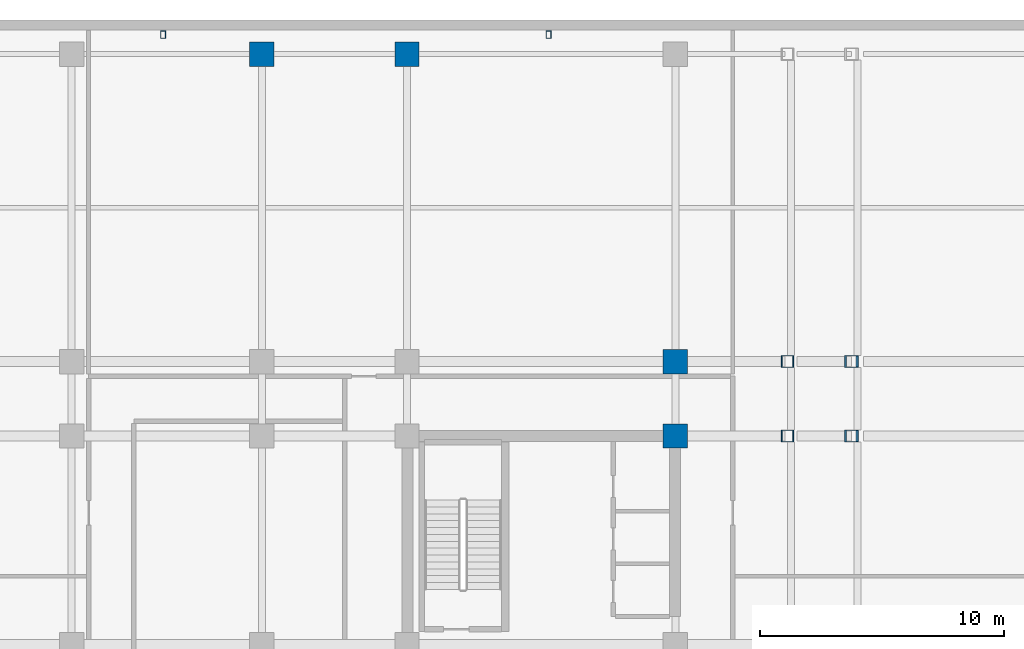
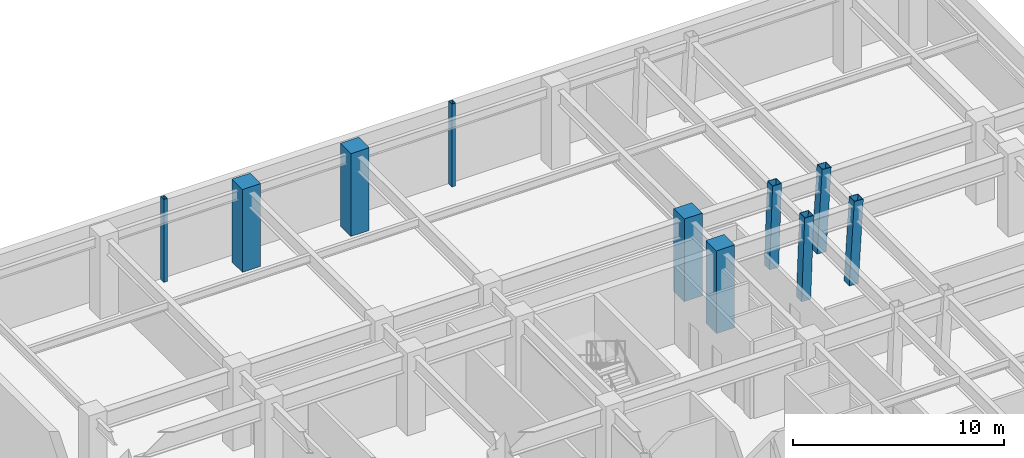
# One storey, part 3 of 9: 10 columns.
"""IFC4 building model written with IfcOpenShell, lengths in metres."""

from ifc_helpers import new_model, si_unit, direction, frame, origin, origin_2d, place, context, subcontext, project, spatial, rectangle, hollow_rectangle, extrude, material, material_profile, profile_set, type_object, element, save


model = new_model("IFC4")

# Units and contexts
model_context = context("Model", 3, precision=1e-05, world=origin(), true_north=direction((0.0, 1.0)))
body_context = subcontext(model_context, "Body", "Model", "MODEL_VIEW")
ifc_project = project(units=[si_unit("LENGTHUNIT", "METRE"), si_unit("AREAUNIT", "SQUARE_METRE"), si_unit("VOLUMEUNIT", "CUBIC_METRE"), si_unit("PLANEANGLEUNIT", "RADIAN"), si_unit("MASSUNIT", "GRAM", prefix="KILO")], contexts=[model_context])

# Site, building, storey
site_placement = place(None, origin())
site = spatial("IfcSite", under=ifc_project, at=site_placement, CompositionType="ELEMENT")
building_placement = place(site_placement, origin())
building = spatial("IfcBuilding", under=site, at=building_placement, Name="Ochreholt Gables", CompositionType="ELEMENT")
storey_placement = place(building_placement, frame((0.0, 0.0, -4.800048828125)))
storey = spatial("IfcBuildingStorey", under=building, at=storey_placement, Name="B1", CompositionType="ELEMENT", Elevation=-4.800048828125)

# Columns
ifc_material_1 = material(Name="Steel CSA G40.21 350W", Category="steel")
ifc_material_profile_1 = material_profile(ifc_material_1, hollow_rectangle(XDim=0.5, YDim=0.5, WallThickness=0.02197265625, at=origin_2d()), Name="HSS500X500X22")
ifc_profile_set_1 = profile_set([ifc_material_profile_1], Name="Steel CSA G40.21 350W")
column_type_1 = type_object("IfcColumnType", Name="COL-HSS500-RAK", PredefinedType="COLUMN", material=ifc_profile_set_1)
for number, where, z_axis, x_axis, name in (
    (1, (39.76806640625, 38.75, 0.0), (0.034971728386, 0.0, 0.99938830202), (0.0, 1.0, 0.0), "B1 Column EMY5"),
    (2, (39.76806640625, 41.800048828125, 0.0), (0.034971728386, 0.0, 0.99938830202), (0.0, 1.0, 0.0), "B1 Column EMY6"),
):
    element("IfcColumn", number, at=place(storey_placement, frame(where, z_axis=z_axis, x_axis=x_axis)), inside=storey, type_object=column_type_1, Name=name, PredefinedType="COLUMN", context=body_context, shape_type="SweptSolid", body=[
        extrude(hollow_rectangle(XDim=0.5, YDim=0.5, WallThickness=0.02197265625, at=origin_2d()), origin(), (0.0, 0.0, 1.0), 4.802978515625),
    ])
for number, where, z_axis, x_axis, name in (
    (3, (42.37841796875, 38.75, 0.0), (0.057885584411, 0.0, 0.998323223769), (0.0, 1.0, 0.0), "B1 Column EEY5"),
    (4, (42.37841796875, 41.800048828125, 0.0), (0.057885584411, 0.0, 0.998323223769), (0.0, 1.0, 0.0), "B1 Column EEY6"),
):
    element("IfcColumn", number, at=place(storey_placement, frame(where, z_axis=z_axis, x_axis=x_axis)), inside=storey, type_object=column_type_1, Name=name, PredefinedType="COLUMN", context=body_context, shape_type="SweptSolid", body=[
        extrude(hollow_rectangle(XDim=0.5, YDim=0.5, WallThickness=0.02197265625, at=origin_2d()), origin(), (0.0, 0.0, 1.0), 4.80810546875),
    ])
ifc_material_2 = material(Name="Concrete 60 MPa", Category="concrete")
ifc_material_profile_2 = material_profile(ifc_material_2, rectangle(XDim=1.0, YDim=1.0, at=origin_2d()), Name="RC1000X1000")
ifc_profile_set_2 = profile_set([ifc_material_profile_2], Name="Concrete 60 MPa")
column_type_2 = type_object("IfcColumnType", Name="COL-RC1000-EXT", PredefinedType="COLUMN", material=ifc_profile_set_2)
for number, where, z_axis, x_axis, name in (
    (5, (18.25, 54.39990234375, 0.0), (0.0, 0.0, 1.0), (1.0, 0.0, 0.0), "B1 Column W3Y7"),
    (6, (24.199951171875, 54.39990234375, 0.0), (0.0, 0.0, 1.0), (1.0, 0.0, 0.0), "B1 Column C1Y7"),
):
    element("IfcColumn", number, at=place(storey_placement, frame(where, z_axis=z_axis, x_axis=x_axis)), inside=storey, type_object=column_type_2, Name=name, PredefinedType="COLUMN", context=body_context, shape_type="SweptSolid", body=[
        extrude(rectangle(XDim=1.0, YDim=1.0, at=origin_2d()), origin(), (0.0, 0.0, 1.0), 4.800048828125),
    ])
ifc_material_profile_3 = material_profile(ifc_material_2, rectangle(XDim=1.0, YDim=1.0, at=origin_2d()), Name="RC1000X1000")
ifc_profile_set_3 = profile_set([ifc_material_profile_3], Name="Concrete 60 MPa")
column_type_3 = type_object("IfcColumnType", Name="COL-RC1000-INT", PredefinedType="COLUMN", material=ifc_profile_set_3)
for number, where, z_axis, x_axis, name in (
    (7, (35.199951171875, 38.75, 0.0), (0.0, 0.0, 1.0), (1.0, 0.0, 0.0), "B1 Column C2Y5"),
    (8, (35.199951171875, 41.800048828125, 0.0), (0.0, 0.0, 1.0), (1.0, 0.0, 0.0), "B1 Column C2Y6"),
):
    element("IfcColumn", number, at=place(storey_placement, frame(where, z_axis=z_axis, x_axis=x_axis)), inside=storey, type_object=column_type_3, Name=name, PredefinedType="COLUMN", context=body_context, shape_type="SweptSolid", body=[
        extrude(rectangle(XDim=1.0, YDim=1.0, at=origin_2d()), origin(), (0.0, 0.0, 1.0), 4.800048828125),
    ])
ifc_material_profile_4 = material_profile(ifc_material_1, hollow_rectangle(XDim=0.202880859375, YDim=0.304931640625, WallThickness=0.0126953125, at=origin_2d()), Name="HSS305X203X13")
ifc_profile_set_4 = profile_set([ifc_material_profile_4], Name="Steel CSA G40.21 350W")
column_type_4 = type_object("IfcColumnType", Name="PIL-HSS305-EXT", PredefinedType="PILASTER", material=ifc_profile_set_4)
for number, where, z_axis, x_axis, name in (
    (9, (14.199951171875, 55.199951171875, 0.0), (0.0, 0.0, 1.0), (1.0, 0.0, 0.0), "B1 Engaged Pilaster PL3"),
    (10, (30.0, 55.199951171875, 0.0), (0.0, 0.0, 1.0), (1.0, 0.0, 0.0), "B1 Engaged Pilaster PL4"),
):
    element("IfcColumn", number, at=place(storey_placement, frame(where, z_axis=z_axis, x_axis=x_axis)), inside=storey, type_object=column_type_4, Name=name, PredefinedType="PILASTER", context=body_context, shape_type="SweptSolid", body=[
        extrude(hollow_rectangle(XDim=0.202880859375, YDim=0.304931640625, WallThickness=0.0126953125, at=origin_2d()), origin(), (0.0, 0.0, 1.0), 4.800048828125),
    ])

save(model, "model.ifc")
